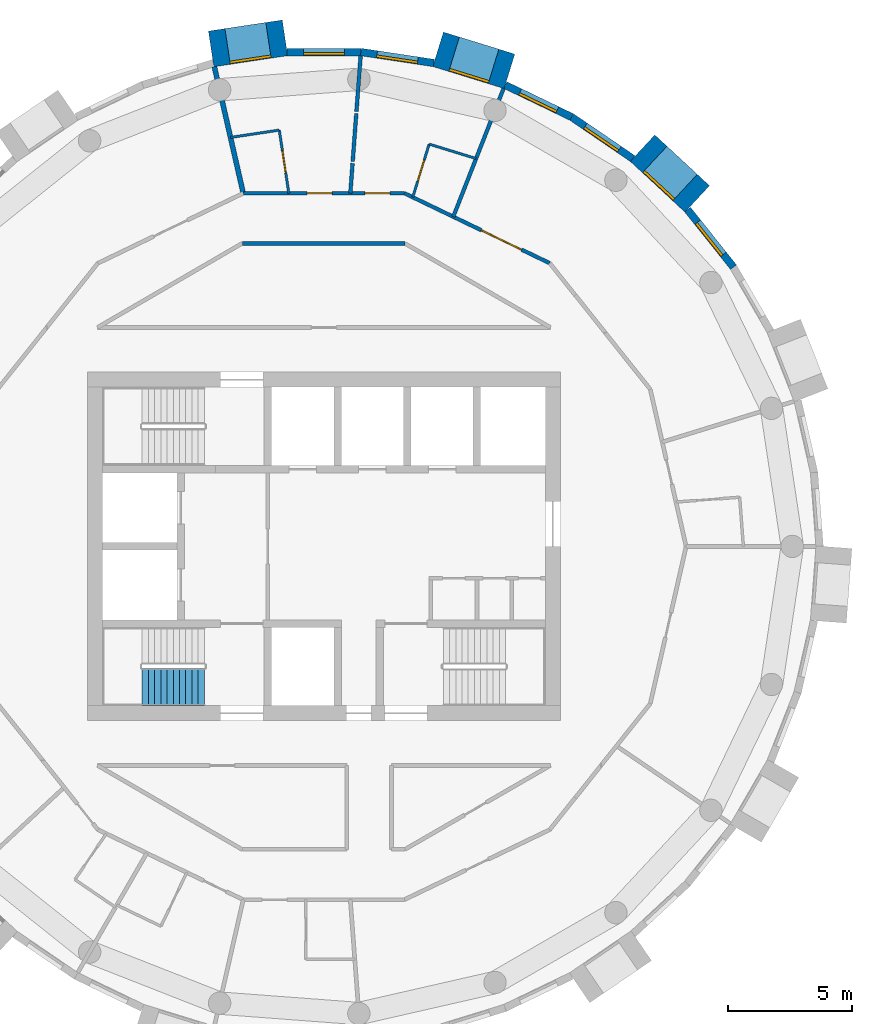
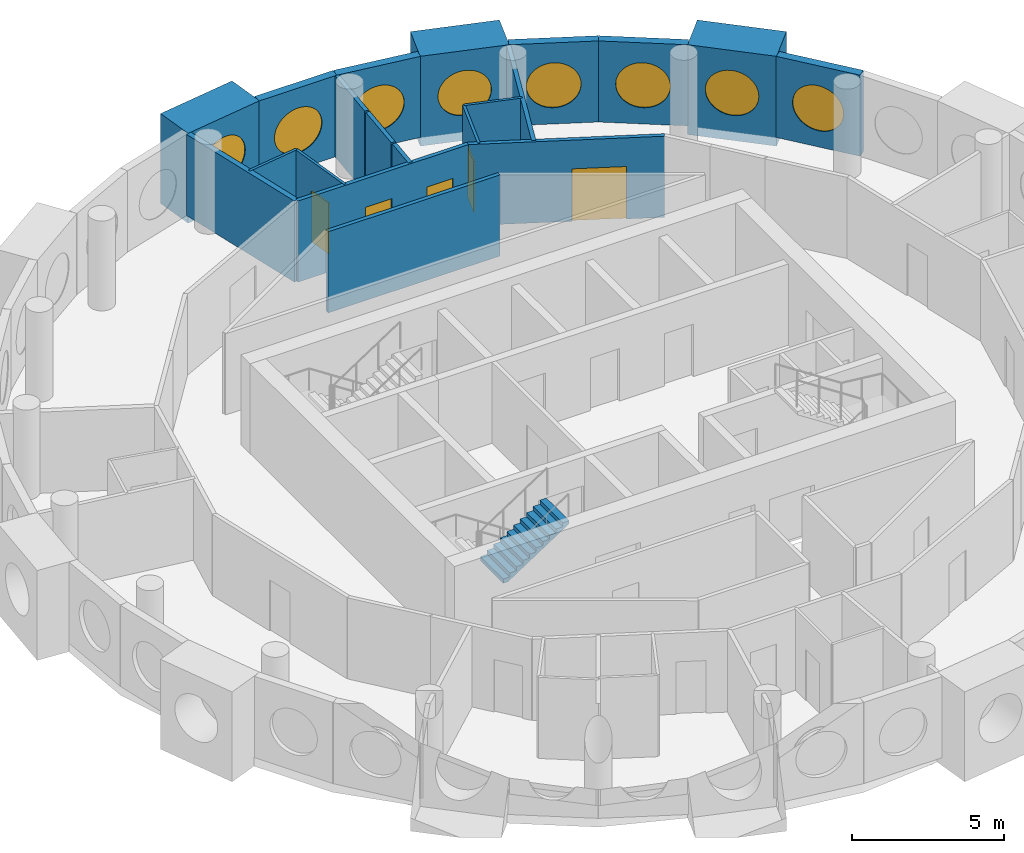
# One storey, part 11 of 13: 20 walls, 8 windows, 5 doors, 1 stair flight, 13 openings, 1 element without a shape of its own.
"""IFC4 building model written with IfcOpenShell, lengths in metres."""

from ifc_helpers import new_model, si_unit, direction, frame, frame_2d, origin, origin_2d, place, context, subcontext, project, spatial, polyline, rectangle, circle, outline, extrude, material, layer, layer_set, type_object, element, fill, aggregate, save


model = new_model("IFC4")

# Units and contexts
model_context = context("Model", 3, precision=1e-05, world=origin(), true_north=direction((0.0, 1.0)))
body_context = subcontext(model_context, "Body", "Model", "MODEL_VIEW")
ifc_project = project(units=[si_unit("LENGTHUNIT", "METRE"), si_unit("AREAUNIT", "SQUARE_METRE"), si_unit("VOLUMEUNIT", "CUBIC_METRE"), si_unit("PLANEANGLEUNIT", "RADIAN"), si_unit("MASSUNIT", "GRAM", prefix="KILO")], contexts=[model_context])

# Site, building, storey
site_placement = place(None, origin())
site = spatial("IfcSite", under=ifc_project, at=site_placement, CompositionType="ELEMENT")
building_placement = place(site_placement, origin())
building = spatial("IfcBuilding", under=site, at=building_placement, Name="Tracery Tower", CompositionType="ELEMENT")
storey_placement = place(building_placement, frame((0.0, 0.0, 301.800048828125)))
storey = spatial("IfcBuildingStorey", under=building, at=storey_placement, Name="L78", CompositionType="ELEMENT", Elevation=301.800048828125)

# Wall, opening, window
ifc_material_1 = material(Name="Precast concrete C50/60", Category="concrete")
ifc_layer_1 = layer(ifc_material_1, 1.449951171875)
ifc_layer_set_1 = layer_set([ifc_layer_1], Name="Deep-set bay unit 3000 x 3600, slab edge 350")
wall_type_1 = type_object("IfcWallType", Name="Deep-set bay unit 3000 x 3600, slab edge 350", PredefinedType="ELEMENTEDWALL", material=ifc_layer_set_1)
wall_1_placement = place(storey_placement, frame((15.0029296875, 13.964111328125, -0.35009765625), z_axis=(0.0, 0.0, 1.0), x_axis=(-0.733022439167, 0.680204457261, 0.0)))
wall_1 = element("IfcWall", 1, at=wall_1_placement, inside=storey, type_object=wall_type_1, Name="Deep-set bay unit 6 at L78", PredefinedType="ELEMENTEDWALL", context=body_context, shape_type="SweptSolid", body=[
    extrude(rectangle(XDim=2.999755859375, YDim=1.449951171875, at=frame_2d((1.5, 0.0))), origin(), (0.0, 0.0, 1.0), 3.60009765625),
])
opening_1_placement = place(wall_1_placement, frame((1.5, 0.0, 1.89990234375)))
opening_1 = element("IfcOpeningElement", 2, at=opening_1_placement, cuts=wall_1, Name="Opening WN1", PredefinedType="OPENING", context=body_context, shape_type="SweptSolid", body=[
    extrude(circle(Radius=0.9000244140625, at=origin_2d()), frame((0.0, 0.73486328125, 0.0), z_axis=(0.0, -1.0, 0.0), x_axis=(1.0, 0.0, 0.0)), (0.0, 0.0, 1.0), 1.469970703125),
])
ifc_material_2 = material(Name="Aluminium frame with tinted double glazing", Category="aluminium")
window_type = type_object("IfcWindowType", Name="Round window 1800", PartitioningType="SINGLE_PANEL", PredefinedType="WINDOW", material=ifc_material_2)
window_1_placement = place(opening_1_placement, origin())
window_1 = element("IfcWindow", 3, at=window_1_placement, inside=storey, type_object=window_type, Name="Round window 6 at L78", OverallHeight=1.800048828125, OverallWidth=1.800048828125, PartitioningType="SINGLE_PANEL", PredefinedType="WINDOW", context=body_context, shape_type="SweptSolid", body=[
    extrude(circle(Radius=0.9000244140625, at=origin_2d()), frame((0.0, 0.69482421875, 0.0), z_axis=(0.0, -1.0, 0.0), x_axis=(1.0, 0.0, 0.0)), (0.0, 0.0, 1.0), 0.10009765625),
])
fill(opening_1, window_1)

wall_2_placement = place(storey_placement, frame((7.45849609375, 19.0908203125, -0.35009765625), z_axis=(0.0, 0.0, 1.0), x_axis=(-0.955571139978, 0.294760574774, 0.0)))
wall_2 = element("IfcWall", 4, at=wall_2_placement, inside=storey, type_object=wall_type_1, Name="Deep-set bay unit 9 at L78", PredefinedType="ELEMENTEDWALL", context=body_context, shape_type="SweptSolid", body=[
    extrude(rectangle(XDim=3.0, YDim=1.449951171875, at=frame_2d((1.5, 0.0))), origin(), (0.0, 0.0, 1.0), 3.60009765625),
])
opening_2_placement = place(wall_2_placement, frame((1.5, 0.0, 1.89990234375)))
opening_2 = element("IfcOpeningElement", 5, at=opening_2_placement, cuts=wall_2, Name="Opening WN1", PredefinedType="OPENING", context=body_context, shape_type="SweptSolid", body=[
    extrude(circle(Radius=0.9000244140625, at=origin_2d()), frame((0.0, 0.73486328125, 0.0), z_axis=(0.0, -1.0, 0.0), x_axis=(1.0, 0.0, 0.0)), (0.0, 0.0, 1.0), 1.469970703125),
])
window_2_placement = place(opening_2_placement, origin())
window_2 = element("IfcWindow", 6, at=window_2_placement, inside=storey, type_object=window_type, Name="Round window 9 at L78", OverallHeight=1.800048828125, OverallWidth=1.800048828125, PartitioningType="SINGLE_PANEL", PredefinedType="WINDOW", context=body_context, shape_type="SweptSolid", body=[
    extrude(circle(Radius=0.9000244140625, at=origin_2d()), frame((0.0, 0.69482421875, 0.0), z_axis=(0.0, -1.0, 0.0), x_axis=(1.0, 0.0, 0.0)), (0.0, 0.0, 1.0), 0.10009765625),
])
fill(opening_2, window_2)

wall_3_placement = place(storey_placement, frame((-1.563232421875, 20.436279296875, -0.35009765625), z_axis=(0.0, 0.0, 1.0), x_axis=(-0.988836445254, -0.149004981587, 0.0)))
wall_3 = element("IfcWall", 7, at=wall_3_placement, inside=storey, type_object=wall_type_1, Name="Deep-set bay unit 12 at L78", PredefinedType="ELEMENTEDWALL", context=body_context, shape_type="SweptSolid", body=[
    extrude(rectangle(XDim=3.0, YDim=1.449951171875, at=frame_2d((1.5, 0.0))), origin(), (0.0, 0.0, 1.0), 3.60009765625),
])
opening_3_placement = place(wall_3_placement, frame((1.5, 0.0, 1.89990234375)))
opening_3 = element("IfcOpeningElement", 8, at=opening_3_placement, cuts=wall_3, Name="Opening WN1", PredefinedType="OPENING", context=body_context, shape_type="SweptSolid", body=[
    extrude(circle(Radius=0.9000244140625, at=origin_2d()), frame((0.0, 0.73486328125, 0.0), z_axis=(0.0, -1.0, 0.0), x_axis=(1.0, 0.0, 0.0)), (0.0, 0.0, 1.0), 1.469970703125),
])
window_3_placement = place(opening_3_placement, origin())
window_3 = element("IfcWindow", 9, at=window_3_placement, inside=storey, type_object=window_type, Name="Round window 12 at L78", OverallHeight=1.800048828125, OverallWidth=1.800048828125, PartitioningType="SINGLE_PANEL", PredefinedType="WINDOW", context=body_context, shape_type="SweptSolid", body=[
    extrude(circle(Radius=0.9000244140625, at=origin_2d()), frame((0.0, 0.69482421875, 0.0), z_axis=(0.0, -1.0, 0.0), x_axis=(1.0, 0.0, 0.0)), (0.0, 0.0, 1.0), 0.10009765625),
])
fill(opening_3, window_3)

ifc_material_3 = material(Name="Precast concrete C50/60", Category="concrete")
ifc_layer_2 = layer(ifc_material_3, 0.300048828125)
ifc_layer_set_2 = layer_set([ifc_layer_2], Name="Facade panel 3000 x 3250")
wall_type_2 = type_object("IfcWallType", Name="Facade panel 3000 x 3250", PredefinedType="SOLIDWALL", material=ifc_layer_set_2)
wall_4_placement = place(storey_placement, frame((16.460205078125, 11.222412109375, 0.0), z_axis=(0.0, 0.0, 1.0), x_axis=(-0.623498236992, 0.781824755599, 0.0)))
wall_4 = element("IfcWall", 10, at=wall_4_placement, inside=storey, type_object=wall_type_2, Name="Facade panel 5 at L78", PredefinedType="SOLIDWALL", context=body_context, shape_type="SweptSolid", body=[
    extrude(rectangle(XDim=2.962158203125, YDim=0.300048828125, at=frame_2d((1.48095703125, 0.0))), origin(), (0.0, 0.0, 1.0), 3.25),
])
opening_4_placement = place(wall_4_placement, frame((1.48095703125, 0.0, 1.5498046875)))
opening_4 = element("IfcOpeningElement", 11, at=opening_4_placement, cuts=wall_4, Name="Opening WN1", PredefinedType="OPENING", context=body_context, shape_type="SweptSolid", body=[
    extrude(circle(Radius=0.9000244140625, at=origin_2d()), frame((0.0, 0.159912109375, 0.0), z_axis=(0.0, -1.0, 0.0), x_axis=(1.0, 0.0, 0.0)), (0.0, 0.0, 1.0), 0.320068359375),
])
window_4_placement = place(opening_4_placement, origin())
window_4 = element("IfcWindow", 12, at=window_4_placement, inside=storey, type_object=window_type, Name="Round window 5 at L78", OverallHeight=1.800048828125, OverallWidth=1.800048828125, PartitioningType="SINGLE_PANEL", PredefinedType="WINDOW", context=body_context, shape_type="SweptSolid", body=[
    extrude(circle(Radius=0.9000244140625, at=origin_2d()), frame((0.0, 0.1201171875, 0.0), z_axis=(0.0, -1.0, 0.0), x_axis=(1.0, 0.0, 0.0)), (0.0, 0.0, 1.0), 0.10009765625),
])
fill(opening_4, window_4)

wall_5_placement = place(storey_placement, frame((12.408447265625, 15.583984375, 0.0), z_axis=(0.0, 0.0, 1.0), x_axis=(-0.826236061068, 0.563324037646, 0.0)))
wall_5 = element("IfcWall", 13, at=wall_5_placement, inside=storey, type_object=wall_type_2, Name="Facade panel 7 at L78", PredefinedType="SOLIDWALL", context=body_context, shape_type="SweptSolid", body=[
    extrude(rectangle(XDim=2.962158203125, YDim=0.300048828125, at=frame_2d((1.48095703125, 0.0))), origin(), (0.0, 0.0, 1.0), 3.25),
])
opening_5_placement = place(wall_5_placement, frame((1.48095703125, 0.0, 1.5498046875)))
opening_5 = element("IfcOpeningElement", 14, at=opening_5_placement, cuts=wall_5, Name="Opening WN1", PredefinedType="OPENING", context=body_context, shape_type="SweptSolid", body=[
    extrude(circle(Radius=0.9000244140625, at=origin_2d()), frame((0.0, 0.159912109375, 0.0), z_axis=(0.0, -1.0, 0.0), x_axis=(1.0, 0.0, 0.0)), (0.0, 0.0, 1.0), 0.320068359375),
])
window_5_placement = place(opening_5_placement, origin())
window_5 = element("IfcWindow", 15, at=window_5_placement, inside=storey, type_object=window_type, Name="Round window 7 at L78", OverallHeight=1.800048828125, OverallWidth=1.800048828125, PartitioningType="SINGLE_PANEL", PredefinedType="WINDOW", context=body_context, shape_type="SweptSolid", body=[
    extrude(circle(Radius=0.9000244140625, at=origin_2d()), frame((0.0, 0.1201171875, 0.0), z_axis=(0.0, -1.0, 0.0), x_axis=(1.0, 0.0, 0.0)), (0.0, 0.0, 1.0), 0.10009765625),
])
fill(opening_5, window_5)

wall_6_placement = place(storey_placement, frame((9.9609375, 17.252685546875, 0.0), z_axis=(0.0, 0.0, 1.0), x_axis=(-0.90095513435, 0.433912255978, 0.0)))
wall_6 = element("IfcWall", 16, at=wall_6_placement, inside=storey, type_object=wall_type_2, Name="Facade panel 8 at L78", PredefinedType="SOLIDWALL", context=body_context, shape_type="SweptSolid", body=[
    extrude(rectangle(XDim=2.96240234375, YDim=0.300048828125, at=frame_2d((1.481201171875, 0.0))), origin(), (0.0, 0.0, 1.0), 3.25),
])
opening_6_placement = place(wall_6_placement, frame((1.48095703125, 0.0, 1.5498046875)))
opening_6 = element("IfcOpeningElement", 17, at=opening_6_placement, cuts=wall_6, Name="Opening WN1", PredefinedType="OPENING", context=body_context, shape_type="SweptSolid", body=[
    extrude(circle(Radius=0.9000244140625, at=origin_2d()), frame((0.0, 0.159912109375, 0.0), z_axis=(0.0, -1.0, 0.0), x_axis=(1.0, 0.0, 0.0)), (0.0, 0.0, 1.0), 0.320068359375),
])
window_6_placement = place(opening_6_placement, origin())
window_6 = element("IfcWindow", 18, at=window_6_placement, inside=storey, type_object=window_type, Name="Round window 8 at L78", OverallHeight=1.800048828125, OverallWidth=1.800048828125, PartitioningType="SINGLE_PANEL", PredefinedType="WINDOW", context=body_context, shape_type="SweptSolid", body=[
    extrude(circle(Radius=0.9000244140625, at=origin_2d()), frame((0.0, 0.1201171875, 0.0), z_axis=(0.0, -1.0, 0.0), x_axis=(1.0, 0.0, 0.0)), (0.0, 0.0, 1.0), 0.10009765625),
])
fill(opening_6, window_6)

wall_7_placement = place(storey_placement, frame((4.41796875, 19.424560546875, 0.0), z_axis=(0.0, 0.0, 1.0), x_axis=(-0.988835775663, 0.149009425104, 0.0)))
wall_7 = element("IfcWall", 19, at=wall_7_placement, inside=storey, type_object=wall_type_2, Name="Facade panel 10 at L78", PredefinedType="SOLIDWALL", context=body_context, shape_type="SweptSolid", body=[
    extrude(rectangle(XDim=2.962158203125, YDim=0.300048828125, at=frame_2d((1.48095703125, 0.0))), origin(), (0.0, 0.0, 1.0), 3.25),
])
opening_7_placement = place(wall_7_placement, frame((1.48095703125, 0.0, 1.5498046875)))
opening_7 = element("IfcOpeningElement", 20, at=opening_7_placement, cuts=wall_7, Name="Opening WN1", PredefinedType="OPENING", context=body_context, shape_type="SweptSolid", body=[
    extrude(circle(Radius=0.9000244140625, at=origin_2d()), frame((0.0, 0.159912109375, 0.0), z_axis=(0.0, -1.0, 0.0), x_axis=(1.0, 0.0, 0.0)), (0.0, 0.0, 1.0), 0.320068359375),
])
window_7_placement = place(opening_7_placement, origin())
window_7 = element("IfcWindow", 21, at=window_7_placement, inside=storey, type_object=window_type, Name="Round window 10 at L78", OverallHeight=1.800048828125, OverallWidth=1.800048828125, PartitioningType="SINGLE_PANEL", PredefinedType="WINDOW", context=body_context, shape_type="SweptSolid", body=[
    extrude(circle(Radius=0.9000244140625, at=origin_2d()), frame((0.0, 0.1201171875, 0.0), z_axis=(0.0, -1.0, 0.0), x_axis=(1.0, 0.0, 0.0)), (0.0, 0.0, 1.0), 0.10009765625),
])
fill(opening_7, window_7)

wall_8_placement = place(storey_placement, frame((1.48876953125, 19.865966796875, 0.0), z_axis=(0.0, 0.0, 1.0), x_axis=(-1.0, 0.0, 0.0)))
wall_8 = element("IfcWall", 22, at=wall_8_placement, inside=storey, type_object=wall_type_2, Name="Facade panel 11 at L78", PredefinedType="SOLIDWALL", context=body_context, shape_type="SweptSolid", body=[
    extrude(rectangle(XDim=2.962158203125, YDim=0.300048828125, at=frame_2d((1.48095703125, 0.0))), origin(), (0.0, 0.0, 1.0), 3.25),
])
opening_8_placement = place(wall_8_placement, frame((1.48095703125, 0.0, 1.5498046875)))
opening_8 = element("IfcOpeningElement", 23, at=opening_8_placement, cuts=wall_8, Name="Opening WN1", PredefinedType="OPENING", context=body_context, shape_type="SweptSolid", body=[
    extrude(circle(Radius=0.9000244140625, at=origin_2d()), frame((0.0, 0.159912109375, 0.0), z_axis=(0.0, -1.0, 0.0), x_axis=(1.0, 0.0, 0.0)), (0.0, 0.0, 1.0), 0.320068359375),
])
window_8_placement = place(opening_8_placement, origin())
window_8 = element("IfcWindow", 24, at=window_8_placement, inside=storey, type_object=window_type, Name="Round window 11 at L78", OverallHeight=1.800048828125, OverallWidth=1.800048828125, PartitioningType="SINGLE_PANEL", PredefinedType="WINDOW", context=body_context, shape_type="SweptSolid", body=[
    extrude(circle(Radius=0.9000244140625, at=origin_2d()), frame((0.0, 0.1201171875, 0.0), z_axis=(0.0, -1.0, 0.0), x_axis=(1.0, 0.0, 0.0)), (0.0, 0.0, 1.0), 0.10009765625),
])
fill(opening_8, window_8)

# Wall
ifc_material_4 = material(Name="Plasterboard on steel studs", Category="steel")
ifc_layer_3 = layer(ifc_material_4, 0.10009765625)
ifc_layer_set_3 = layer_set([ifc_layer_3], Name="Partition 100 wet wall")
wall_type_3 = type_object("IfcWallType", Name="Partition 100 wet wall", PredefinedType="PARTITIONING", material=ifc_layer_set_3)
wall_9_placement = place(storey_placement, frame((4.23095703125, 16.166015625, 0.0), z_axis=(0.0, 0.0, 1.0), x_axis=(0.955671951668, -0.294433559219, 0.0)))
element("IfcWall", 25, at=wall_9_placement, inside=storey, type_object=wall_type_3, Name="Wet wall RC7-048", PredefinedType="PARTITIONING", context=body_context, shape_type="SweptSolid", body=[
    extrude(rectangle(XDim=1.973388671875, YDim=0.10009765625, at=frame_2d((0.98681640625, 0.0))), origin(), (0.0, 0.0, 1.0), 3.25),
])

# Wall, opening, door
wall_10_placement = place(storey_placement, frame((3.572021484375, 14.031982421875, 0.0), z_axis=(0.0, 0.0, 1.0), x_axis=(0.295030507093, 0.955487833457, 0.0)))
wall_10 = element("IfcWall", 26, at=wall_10_placement, inside=storey, type_object=wall_type_3, Name="Wet wall RC7-049", PredefinedType="PARTITIONING", context=body_context, shape_type="SweptSolid", body=[
    extrude(rectangle(XDim=2.2333984375, YDim=0.10009765625, at=frame_2d((1.11669921875, 0.0))), origin(), (0.0, 0.0, 1.0), 3.25),
])
opening_9_placement = place(wall_10_placement, frame((0.66650390625, 0.0, 0.0)))
opening_9 = element("IfcOpeningElement", 27, at=opening_9_placement, cuts=wall_10, Name="Opening RC7-07", PredefinedType="OPENING", context=body_context, shape_type="SweptSolid", body=[
    extrude(rectangle(XDim=0.89990234375, YDim=2.0400390625, at=frame_2d((0.449951171875, 1.02001953125))), frame((0.0, 0.050048828125, 0.0), z_axis=(0.0, -1.0, 0.0), x_axis=(1.0, 0.0, 0.0)), (0.0, 0.0, 1.0), 0.10009765625),
])
ifc_material_5 = material(Name="Timber door leaf", Category="wood")
door_type_1 = type_object("IfcDoorType", Name="Door en-suite 900", OperationType="NOTDEFINED", PredefinedType="DOOR", material=ifc_material_5)
door_1_placement = place(opening_9_placement, origin())
door_1 = element("IfcDoor", 28, at=door_1_placement, inside=storey, type_object=door_type_1, Name="En-suite door RC7-07", OperationType="SINGLE_SWING_RIGHT", OverallHeight=2.0400390625, OverallWidth=0.89990234375, PredefinedType="DOOR", context=body_context, shape_type="SweptSolid", body=[
    extrude(rectangle(XDim=0.89990234375, YDim=2.0400390625, at=frame_2d((0.449951171875, 1.02001953125))), frame((0.0, 0.02490234375, 0.0), z_axis=(0.0, -1.0, 0.0), x_axis=(1.0, 0.0, 0.0)), (0.0, 0.0, 1.0), 0.050048828125),
])
fill(opening_9, door_1)

wall_11_placement = place(storey_placement, frame((-1.791015625, 16.72900390625, 0.0), z_axis=(0.0, 0.0, 1.0), x_axis=(0.149289553133, -0.988793522089, 0.0)))
wall_11 = element("IfcWall", 29, at=wall_11_placement, inside=storey, type_object=wall_type_3, Name="Wet wall RC7-053", PredefinedType="PARTITIONING", context=body_context, shape_type="SweptSolid", body=[
    extrude(rectangle(XDim=2.56591796875, YDim=0.10009765625, at=frame_2d((1.282958984375, 0.0))), origin(), (0.0, 0.0, 1.0), 3.25),
])
opening_10_placement = place(wall_11_placement, frame((0.832763671875, 0.0, 0.0)))
opening_10 = element("IfcOpeningElement", 30, at=opening_10_placement, cuts=wall_11, Name="Opening RC7-09", PredefinedType="OPENING", context=body_context, shape_type="SweptSolid", body=[
    extrude(rectangle(XDim=0.89990234375, YDim=2.0400390625, at=frame_2d((0.449951171875, 1.02001953125))), frame((0.0, 0.050048828125, 0.0), z_axis=(0.0, -1.0, 0.0), x_axis=(1.0, 0.0, 0.0)), (0.0, 0.0, 1.0), 0.10009765625),
])
door_2_placement = place(opening_10_placement, origin())
door_2 = element("IfcDoor", 31, at=door_2_placement, inside=storey, type_object=door_type_1, Name="En-suite door RC7-09", OperationType="SINGLE_SWING_RIGHT", OverallHeight=2.0400390625, OverallWidth=0.89990234375, PredefinedType="DOOR", context=body_context, shape_type="SweptSolid", body=[
    extrude(rectangle(XDim=0.89990234375, YDim=2.0400390625, at=frame_2d((0.449951171875, 1.02001953125))), frame((0.0, 0.02490234375, 0.0), z_axis=(0.0, -1.0, 0.0), x_axis=(1.0, 0.0, 0.0)), (0.0, 0.0, 1.0), 0.050048828125),
])
fill(opening_10, door_2)

# Walls
wall_12_placement = place(storey_placement, frame((-3.7509765625, 16.43408203125, 0.0), z_axis=(0.0, 0.0, 1.0), x_axis=(0.988867580828, 0.148798210967, 0.0)))
element("IfcWall", 32, at=wall_12_placement, inside=storey, type_object=wall_type_3, Name="Wet wall RC7-054", PredefinedType="PARTITIONING", context=body_context, shape_type="SweptSolid", body=[
    extrude(rectangle(XDim=1.98193359375, YDim=0.10009765625, at=frame_2d((0.990966796875, 0.0))), origin(), (0.0, 0.0, 1.0), 3.25),
])
ifc_material_6 = material(Name="Plasterboard on steel studs", Category="steel")
ifc_layer_4 = layer(ifc_material_6, 0.14990234375)
ifc_layer_set_4 = layer_set([ifc_layer_4], Name="Partition 150 acoustic unit wall")
wall_type_4 = type_object("IfcWallType", Name="Partition 150 acoustic unit wall", PredefinedType="PARTITIONING", material=ifc_layer_set_4)
wall_13_placement = place(storey_placement, frame((5.19970703125, 13.247802734375, 0.0), z_axis=(0.0, 0.0, 1.0), x_axis=(0.365205108582, 0.930927080209, 0.0)))
element("IfcWall", 33, at=wall_13_placement, inside=storey, type_object=wall_type_4, Name="Unit wall RC7-047", PredefinedType="PARTITIONING", context=body_context, shape_type="SweptSolid", body=[
    extrude(rectangle(XDim=5.539794921875, YDim=0.14990234375, at=frame_2d((2.77001953125, 0.0))), origin(), (0.0, 0.0, 1.0), 3.25),
])
wall_14_placement = place(storey_placement, frame((1.06396484375, 14.19189453125, 0.0), z_axis=(0.0, 0.0, 1.0), x_axis=(0.074608991733, 0.997212865116, 0.0)))
element("IfcWall", 34, at=wall_14_placement, inside=storey, type_object=wall_type_4, Name="Unit wall RC7-050", PredefinedType="PARTITIONING", context=body_context, shape_type="SweptSolid", body=[
    extrude(rectangle(XDim=1.20751953125, YDim=0.14990234375, at=frame_2d((0.603759765625, 0.0))), origin(), (0.0, 0.0, 1.0), 3.25),
])
wall_15_placement = place(storey_placement, frame((1.30908203125, 17.472900390625, 0.0), z_axis=(0.0, 0.0, 1.0), x_axis=(0.075102921739, 0.997175787485, 0.0)))
element("IfcWall", 35, at=wall_15_placement, inside=storey, type_object=wall_type_4, Name="Unit wall RC7-051", PredefinedType="PARTITIONING", context=body_context, shape_type="SweptSolid", body=[
    extrude(rectangle(XDim=2.24951171875, YDim=0.14990234375, at=frame_2d((1.124755859375, 0.0))), origin(), (0.0, 0.0, 1.0), 3.25),
])
wall_16_placement = place(storey_placement, frame((1.159912109375, 15.472900390625, 0.0), z_axis=(0.0, 0.0, 1.0), x_axis=(0.074188791375, 0.99724421444, 0.0)))
element("IfcWall", 36, at=wall_16_placement, inside=storey, type_object=wall_type_4, Name="Unit wall RC7-052", PredefinedType="PARTITIONING", context=body_context, shape_type="SweptSolid", body=[
    extrude(rectangle(XDim=1.928466796875, YDim=0.14990234375, at=frame_2d((0.96435546875, 0.0))), origin(), (0.0, 0.0, 1.0), 3.25),
])
ifc_material_7 = material(Name="Plasterboard on steel studs", Category="steel")
ifc_layer_5 = layer(ifc_material_7, 0.14990234375)
ifc_layer_set_5 = layer_set([ifc_layer_5], Name="Partition 150 corridor wall")
wall_type_5 = type_object("IfcWallType", Name="Partition 150 corridor wall", PredefinedType="PARTITIONING", material=ifc_layer_set_5)
wall_17_placement = place(storey_placement, frame((-3.260986328125, 12.1708984375, 0.0), z_axis=(0.0, 0.0, 1.0), x_axis=(1.0, 0.0, 0.0)))
element("IfcWall", 37, at=wall_17_placement, inside=storey, type_object=wall_type_5, Name="Corridor wall RC7-025", PredefinedType="PARTITIONING", context=body_context, shape_type="SweptSolid", body=[
    extrude(rectangle(XDim=6.52197265625, YDim=0.14990234375, at=frame_2d((3.260986328125, 0.0))), origin(), (0.0, 0.0, 1.0), 3.25),
])

# Wall, opening, door
wall_18_placement = place(storey_placement, frame((3.239013671875, 14.19189453125, 0.0), z_axis=(0.0, 0.0, 1.0), x_axis=(0.900976027191, -0.433868872388, 0.0)))
wall_18 = element("IfcWall", 38, at=wall_18_placement, inside=storey, type_object=wall_type_5, Name="Corridor wall RC7-026", PredefinedType="PARTITIONING", context=body_context, shape_type="SweptSolid", body=[
    extrude(rectangle(XDim=6.478515625, YDim=0.14990234375, at=frame_2d((3.2392578125, 0.0))), origin(), (0.0, 0.0, 1.0), 3.25),
])
opening_11_placement = place(wall_18_placement, frame((3.425048828125, 0.0, 0.0)))
opening_11 = element("IfcOpeningElement", 39, at=opening_11_placement, cuts=wall_18, Name="Opening RC7-06", PredefinedType="OPENING", context=body_context, shape_type="SweptSolid", body=[
    extrude(rectangle(XDim=1.800048828125, YDim=2.10009765625, at=frame_2d((0.89990234375, 1.050048828125))), frame((0.0, 0.074951171875, 0.0), z_axis=(0.0, -1.0, 0.0), x_axis=(1.0, 0.0, 0.0)), (0.0, 0.0, 1.0), 0.14990234375),
])
ifc_material_8 = material(Name="Timber door leaf", Category="wood")
door_type_2 = type_object("IfcDoorType", Name="Door double lounge 1800", OperationType="NOTDEFINED", PredefinedType="DOOR", material=ifc_material_8)
door_3_placement = place(opening_11_placement, origin())
door_3 = element("IfcDoor", 40, at=door_3_placement, inside=storey, type_object=door_type_2, Name="Double lounge door RC7-06", OperationType="DOUBLE_DOOR_SINGLE_SWING", OverallHeight=2.10009765625, OverallWidth=1.800048828125, PredefinedType="DOOR", context=body_context, shape_type="SweptSolid", body=[
    extrude(rectangle(XDim=1.800048828125, YDim=2.10009765625, at=frame_2d((0.89990234375, 1.050048828125))), frame((0.0, 0.02490234375, 0.0), z_axis=(0.0, -1.0, 0.0), x_axis=(1.0, 0.0, 0.0)), (0.0, 0.0, 1.0), 0.050048828125),
])
fill(opening_11, door_3)

# Wall, openings, doors
wall_19_placement = place(storey_placement, frame((-3.239013671875, 14.19189453125, 0.0), z_axis=(0.0, 0.0, 1.0), x_axis=(1.0, 0.0, 0.0)))
wall_19 = element("IfcWall", 41, at=wall_19_placement, inside=storey, type_object=wall_type_5, Name="Corridor wall RC7-028", PredefinedType="PARTITIONING", context=body_context, shape_type="SweptSolid", body=[
    extrude(rectangle(XDim=6.47802734375, YDim=0.14990234375, at=frame_2d((3.239013671875, 0.0))), origin(), (0.0, 0.0, 1.0), 3.25),
])
opening_12_placement = place(wall_19_placement, frame((4.887939453125, 0.0, 0.0)))
opening_12 = element("IfcOpeningElement", 42, at=opening_12_placement, cuts=wall_19, Name="Opening RC7-08", PredefinedType="OPENING", context=body_context, shape_type="SweptSolid", body=[
    extrude(rectangle(XDim=1.0, YDim=2.10009765625, at=frame_2d((0.5, 1.050048828125))), frame((0.0, 0.074951171875, 0.0), z_axis=(0.0, -1.0, 0.0), x_axis=(1.0, 0.0, 0.0)), (0.0, 0.0, 1.0), 0.14990234375),
])
opening_13_placement = place(wall_19_placement, frame((2.56689453125, 0.0, 0.0)))
opening_13 = element("IfcOpeningElement", 43, at=opening_13_placement, cuts=wall_19, Name="Opening RC7-10", PredefinedType="OPENING", context=body_context, shape_type="SweptSolid", body=[
    extrude(rectangle(XDim=1.0, YDim=2.10009765625, at=frame_2d((0.5, 1.050048828125))), frame((0.0, 0.074951171875, 0.0), z_axis=(0.0, -1.0, 0.0), x_axis=(1.0, 0.0, 0.0)), (0.0, 0.0, 1.0), 0.14990234375),
])
ifc_material_9 = material(Name="Timber door leaf", Category="wood")
door_type_3 = type_object("IfcDoorType", Name="Door unit entrance 1000", OperationType="NOTDEFINED", PredefinedType="DOOR", material=ifc_material_9)
door_4_placement = place(opening_12_placement, origin())
door_4 = element("IfcDoor", 44, at=door_4_placement, inside=storey, type_object=door_type_3, Name="Unit entrance door RC7-08", OperationType="SINGLE_SWING_LEFT", OverallHeight=2.10009765625, OverallWidth=1.0, PredefinedType="DOOR", context=body_context, shape_type="SweptSolid", body=[
    extrude(rectangle(XDim=1.0, YDim=2.10009765625, at=frame_2d((0.5, 1.050048828125))), frame((0.0, 0.02490234375, 0.0), z_axis=(0.0, -1.0, 0.0), x_axis=(1.0, 0.0, 0.0)), (0.0, 0.0, 1.0), 0.050048828125),
])
fill(opening_12, door_4)
door_5_placement = place(opening_13_placement, origin())
door_5 = element("IfcDoor", 45, at=door_5_placement, inside=storey, type_object=door_type_3, Name="Unit entrance door RC7-10", OperationType="SINGLE_SWING_RIGHT", OverallHeight=2.10009765625, OverallWidth=1.0, PredefinedType="DOOR", context=body_context, shape_type="SweptSolid", body=[
    extrude(rectangle(XDim=1.0, YDim=2.10009765625, at=frame_2d((0.5, 1.050048828125))), frame((0.0, 0.02490234375, 0.0), z_axis=(0.0, -1.0, 0.0), x_axis=(1.0, 0.0, 0.0)), (0.0, 0.0, 1.0), 0.050048828125),
])
fill(opening_13, door_5)

# Wall
ifc_material_10 = material(Name="Plasterboard on steel studs", Category="steel")
ifc_layer_6 = layer(ifc_material_10, 0.199951171875)
ifc_layer_set_6 = layer_set([ifc_layer_6], Name="Partition 200 compartment wall")
wall_type_6 = type_object("IfcWallType", Name="Partition 200 compartment wall", PredefinedType="PARTITIONING", material=ifc_layer_set_6)
wall_20_placement = place(storey_placement, frame((-4.39990234375, 19.27587890625, 0.0), z_axis=(0.0, 0.0, 1.0), x_axis=(0.222612505682, -0.974907007008, 0.0)))
element("IfcWall", 46, at=wall_20_placement, inside=storey, type_object=wall_type_6, Name="Compartment wall RC7-055", PredefinedType="PARTITIONING", context=body_context, shape_type="SweptSolid", body=[
    extrude(rectangle(XDim=5.21484375, YDim=0.199951171875, at=frame_2d((2.607421875, 0.0))), origin(), (0.0, 0.0, 1.0), 3.25),
])

# Stair, stair flight
ifc_material_11 = material(Name="Concrete C32/40", Category="concrete")
stair_type = type_object("IfcStairType", Name="Core stair 22 risers", PredefinedType="HALF_TURN_STAIR", material=ifc_material_11)
stair_placement = place(storey_placement, origin())
stair = element("IfcStair", 47, at=stair_placement, inside=storey, type_object=stair_type, Name="L78 stair ST1", PredefinedType="HALF_TURN_STAIR")
ifc_material_12 = material(Name="Concrete C32/40", Category="concrete")
stair_flight_type = type_object("IfcStairFlightType", Name="Core stair flight 11 risers", PredefinedType="STRAIGHT", material=ifc_material_12)
stair_flight_placement = place(storey_placement, frame((-7.300048828125, -5.64990234375, 1.800048828125), z_axis=(0.0, 0.0, 1.0), x_axis=(1.0, 0.0, 0.0)))
stair_flight = element("IfcStairFlight", 48, at=stair_flight_placement, type_object=stair_flight_type, Name="ST1 flight 2", NumberOfRisers=11, NumberOfTreads=10, PredefinedType="STRAIGHT", RiserHeight=0.163636364, TreadLength=0.25, context=body_context, shape_type="SweptSolid", body=[
    extrude(outline(polyline([(0.0, 0.0), (0.0, 0.002685546875), (0.0, 0.00537109375), (0.0, 0.008056640625), (0.0, 0.0107421875), (0.0, 0.013427734375), (0.0, 0.01611328125), (0.0, 0.018798828125), (0.0, 0.021484375), (0.0, 0.024169921875), (0.0, 0.02685546875), (0.0, 0.029541015625), (0.0, 0.0322265625), (0.0, 0.034912109375), (0.0, 0.03759765625), (0.0, 0.040283203125), (0.0, 0.04296875), (0.0, 0.045654296875), (0.0, 0.04833984375), (0.0, 0.051025390625), (0.0, 0.0537109375), (0.0, 0.056396484375), (0.0, 0.05908203125), (0.0, 0.061767578125), (0.0, 0.064453125), (0.0, 0.067138671875), (0.0, 0.06982421875), (0.0, 0.072509765625), (0.0, 0.0751953125), (0.0, 0.077880859375), (0.0, 0.08056640625), (0.0, 0.083251953125), (0.0, 0.0859375), (0.0, 0.088623046875), (0.0, 0.09130859375), (0.0, 0.093994140625), (0.0, 0.0966796875), (0.0, 0.099365234375), (0.0, 0.10205078125), (0.0, 0.104736328125), (0.0, 0.107421875), (0.0, 0.10986328125), (0.0, 0.112548828125), (0.0, 0.115234375), (0.0, 0.117919921875), (0.0, 0.12060546875), (0.0, 0.123291015625), (0.0, 0.1259765625), (0.0, 0.128662109375), (0.0, 0.13134765625), (0.0, 0.134033203125), (0.0, 0.13671875), (0.0, 0.139404296875), (0.0, 0.14208984375), (0.0, 0.144775390625), (0.0, 0.1474609375), (0.0, 0.150146484375), (0.0, 0.15283203125), (0.0, 0.155517578125), (0.0, 0.158203125), (0.0, 0.160888671875), (0.0, 0.16357421875), (0.25, 0.16357421875), (0.25, 0.327392578125), (0.5, 0.327392578125), (0.5, 0.490966796875), (0.75, 0.490966796875), (0.75, 0.654541015625), (1.0, 0.654541015625), (1.0, 0.818115234375), (1.25, 0.818115234375), (1.25, 0.98193359375), (1.5, 0.98193359375), (1.5, 1.1455078125), (1.75, 1.1455078125), (1.75, 1.30908203125), (2.0, 1.30908203125), (2.0, 1.47265625), (2.25, 1.47265625), (2.25, 1.636474609375), (2.5, 1.636474609375), (2.5, 1.634521484375), (2.5, 1.63232421875), (2.5, 1.63037109375), (2.5, 1.62841796875), (2.5, 1.62646484375), (2.5, 1.62451171875), (2.5, 1.62255859375), (2.5, 1.62060546875), (2.5, 1.61865234375), (2.5, 1.61669921875), (2.5, 1.61474609375), (2.5, 1.61279296875), (2.5, 1.61083984375), (2.5, 1.60888671875), (2.5, 1.60693359375), (2.5, 1.60498046875), (2.5, 1.60302734375), (2.5, 1.60107421875), (2.5, 1.59912109375), (2.5, 1.59716796875), (2.5, 1.59521484375), (2.5, 1.59326171875), (2.5, 1.59130859375), (2.5, 1.58935546875), (2.5, 1.58740234375), (2.5, 1.58544921875), (2.5, 1.58349609375), (2.5, 1.58154296875), (2.5, 1.57958984375), (2.5, 1.57763671875), (2.5, 1.57568359375), (2.5, 1.573486328125), (2.5, 1.571533203125), (2.5, 1.569580078125), (2.5, 1.567626953125), (2.5, 1.565673828125), (2.5, 1.563720703125), (2.5, 1.561767578125), (2.5, 1.559814453125), (2.5, 1.557861328125), (2.5, 1.555908203125), (2.5, 1.553955078125), (2.5, 1.552001953125), (2.5, 1.550048828125), (2.5, 1.548095703125), (2.5, 1.546142578125), (2.5, 1.544189453125), (2.5, 1.542236328125), (2.5, 1.540283203125), (2.5, 1.538330078125), (2.5, 1.536376953125), (2.5, 1.534423828125), (2.5, 1.532470703125), (2.5, 1.530517578125), (2.5, 1.528564453125), (2.5, 1.526611328125), (2.5, 1.524658203125), (2.5, 1.522705078125), (2.5, 1.520751953125), (2.5, 1.518798828125), (2.5, 1.516845703125), (0.182861328125, 0.0), (0.0, 0.0)])), frame((0.0, 0.75, 0.0), z_axis=(0.0, -1.0, 0.0), x_axis=(1.0, 0.0, 0.0)), (0.0, 0.0, 1.0), 1.5),
])
aggregate(stair, [stair_flight])

save(model, "model.ifc")
